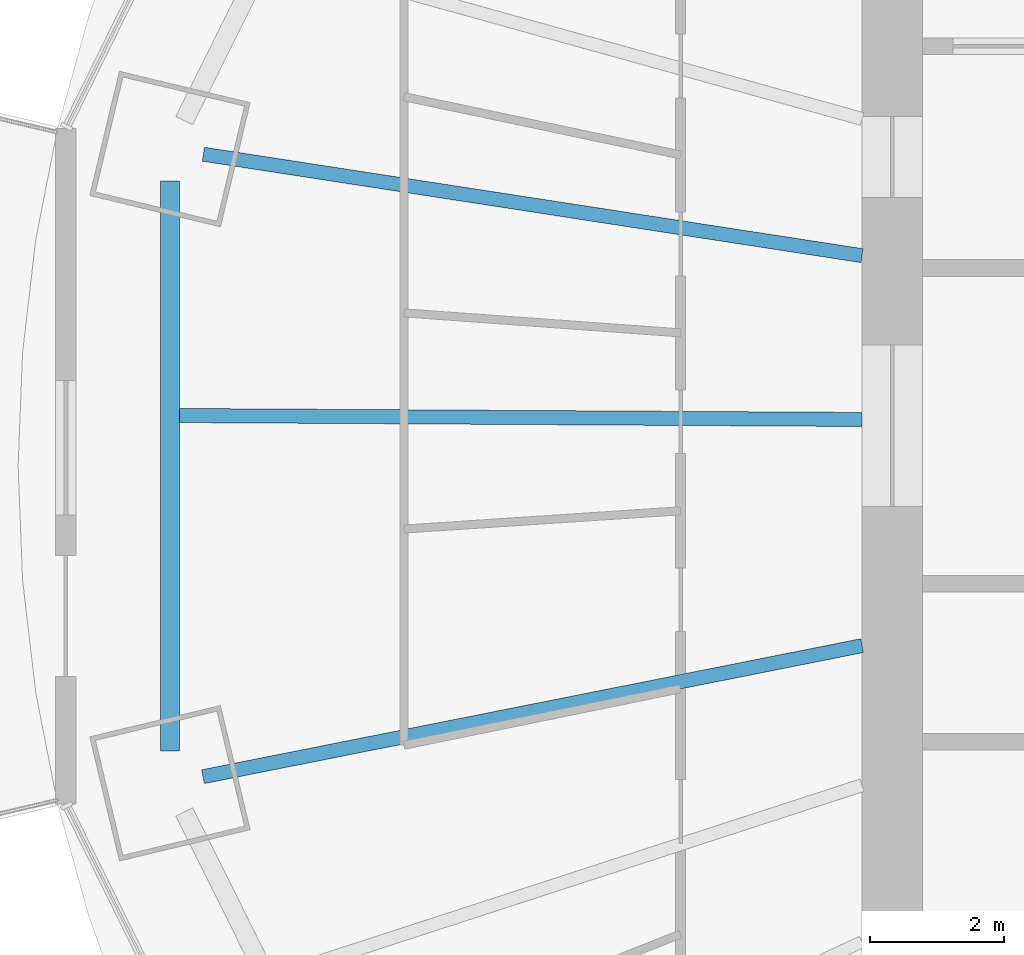
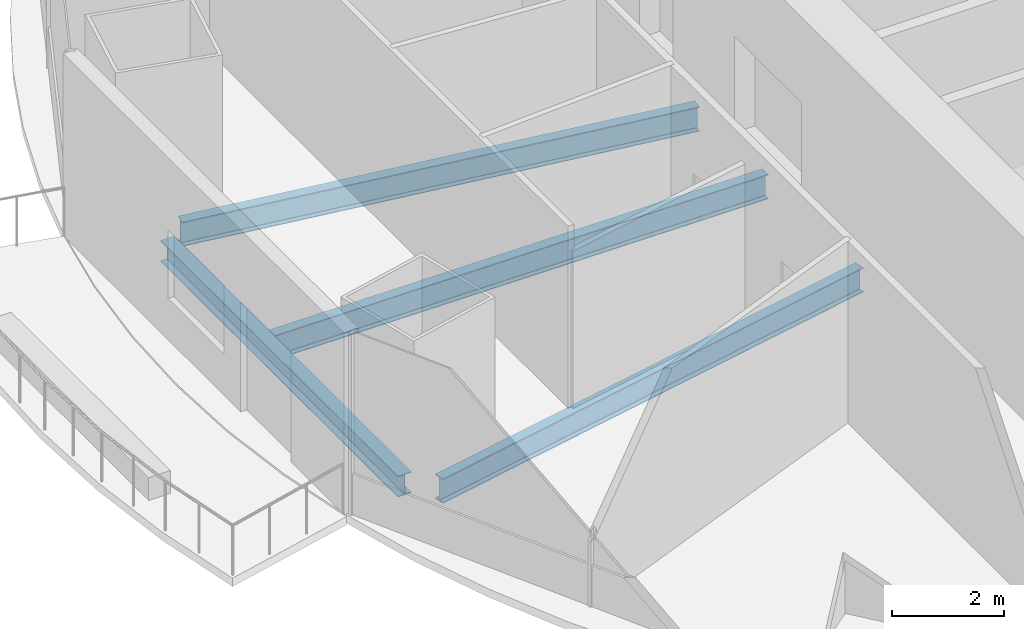
# One storey, part 3 of 19: 4 beams.
"""IFC4 building model written with IfcOpenShell, lengths in metres."""

from ifc_helpers import new_model, si_unit, direction, frame, origin, origin_2d, place, context, subcontext, project, spatial, i_section, extrude, material, material_profile, profile_set, type_object, element, save


model = new_model("IFC4")

# Units and contexts
model_context = context("Model", 3, precision=1e-05, world=origin(), true_north=direction((0.0, 1.0)))
body_context = subcontext(model_context, "Body", "Model", "MODEL_VIEW")
ifc_project = project(units=[si_unit("LENGTHUNIT", "METRE"), si_unit("AREAUNIT", "SQUARE_METRE"), si_unit("VOLUMEUNIT", "CUBIC_METRE"), si_unit("PLANEANGLEUNIT", "RADIAN"), si_unit("MASSUNIT", "GRAM", prefix="KILO")], contexts=[model_context])

# Site, building, storey
site_placement = place(None, origin())
site = spatial("IfcSite", under=ifc_project, at=site_placement, CompositionType="ELEMENT")
building_placement = place(site_placement, origin())
building = spatial("IfcBuilding", under=site, at=building_placement, Name="Marenthal Gate Tower", CompositionType="ELEMENT")
storey_placement = place(building_placement, frame((0.0, 0.0, 231.60009765625)))
storey = spatial("IfcBuildingStorey", under=building, at=storey_placement, Name="L51", CompositionType="ELEMENT", Elevation=231.60009765625)

# Beams
ifc_material_1 = material(Name="Steel S355", Category="steel")
ifc_material_profile_1 = material_profile(ifc_material_1, i_section(OverallWidth=0.279052734375, OverallDepth=0.4619140625, WebThickness=0.0107421875, FlangeThickness=0.017333984375, FilletRadius=0.010009765625, at=origin_2d()), Name="W460X113")
ifc_profile_set_1 = profile_set([ifc_material_profile_1], Name="Steel S355")
beam_type_1 = type_object("IfcBeamType", Name="W460X113 beam", PredefinedType="BEAM", material=ifc_profile_set_1)
beam_1_placement = place(storey_placement, frame((-26.748779296875, 3.6416015625, -0.4111328125), z_axis=(0.0, -1.0, 0.0), x_axis=(1.0, 0.0, 0.0)))
element("IfcBeam", 1, at=beam_1_placement, inside=storey, type_object=beam_type_1, Name="BM-L51-48", PredefinedType="BEAM", context=body_context, shape_type="SweptSolid", body=[
    extrude(i_section(OverallWidth=0.279052734375, OverallDepth=0.4619140625, WebThickness=0.0107421875, FlangeThickness=0.017333984375, FilletRadius=0.010009765625, at=origin_2d()), origin(), (0.0, 0.0, 1.0), 8.483154296875),
])
ifc_material_2 = material(Name="Steel S355", Category="steel")
ifc_material_profile_2 = material_profile(ifc_material_2, i_section(OverallWidth=0.2099609375, OverallDepth=0.535888671875, WebThickness=0.010986328125, FlangeThickness=0.017333984375, FilletRadius=0.0126953125, at=origin_2d()), Name="W530X101")
ifc_profile_set_2 = profile_set([ifc_material_profile_2], Name="Steel S355")
beam_type_2 = type_object("IfcBeamType", Name="W530X101 beam", PredefinedType="BEAM", material=ifc_profile_set_2)
beam_2_placement = place(storey_placement, frame((-26.251220703125, 4.041748046875, -0.447998046875), z_axis=(0.988354329833, -0.1521700322, 0.0), x_axis=(0.1521700322, 0.988354329833, 0.0)))
element("IfcBeam", 2, at=beam_2_placement, inside=storey, type_object=beam_type_2, Name="BM-L51-08", PredefinedType="BEAM", context=body_context, shape_type="SweptSolid", body=[
    extrude(i_section(OverallWidth=0.2099609375, OverallDepth=0.535888671875, WebThickness=0.010986328125, FlangeThickness=0.017333984375, FilletRadius=0.0126953125, at=origin_2d()), origin(), (0.0, 0.0, 1.0), 9.916748046875),
])
beam_3_placement = place(storey_placement, frame((-26.257568359375, -5.220703125, -0.447998046875), z_axis=(0.980802597153, 0.195003244635, 0.0), x_axis=(-0.195003244635, 0.980802597153, 0.0)))
element("IfcBeam", 3, at=beam_3_placement, inside=storey, type_object=beam_type_2, Name="BM-L51-09", PredefinedType="BEAM", context=body_context, shape_type="SweptSolid", body=[
    extrude(i_section(OverallWidth=0.2099609375, OverallDepth=0.535888671875, WebThickness=0.010986328125, FlangeThickness=0.017333984375, FilletRadius=0.0126953125, at=origin_2d()), origin(), (0.0, 0.0, 1.0), 9.99951171875),
])
beam_4_placement = place(storey_placement, frame((-26.609130859375, 0.154052734375, -0.447998046875), z_axis=(0.999983229115, -0.005791501447, 0.0), x_axis=(0.005791501447, 0.999983229115, 0.0)))
element("IfcBeam", 4, at=beam_4_placement, inside=storey, type_object=beam_type_2, Name="BM-L51-28", PredefinedType="BEAM", context=body_context, shape_type="SweptSolid", body=[
    extrude(i_section(OverallWidth=0.2099609375, OverallDepth=0.535888671875, WebThickness=0.010986328125, FlangeThickness=0.017333984375, FilletRadius=0.0126953125, at=origin_2d()), origin(), (0.0, 0.0, 1.0), 10.159423828125),
])

save(model, "model.ifc")
